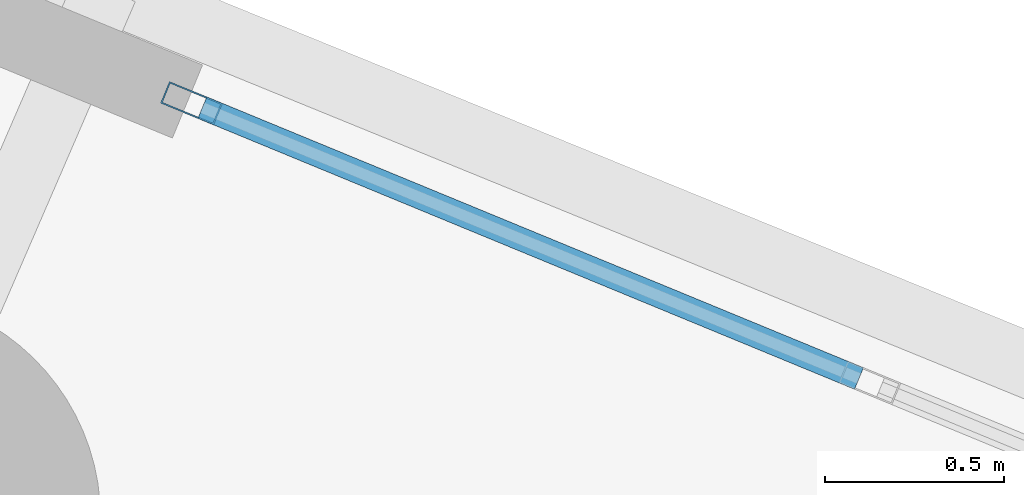
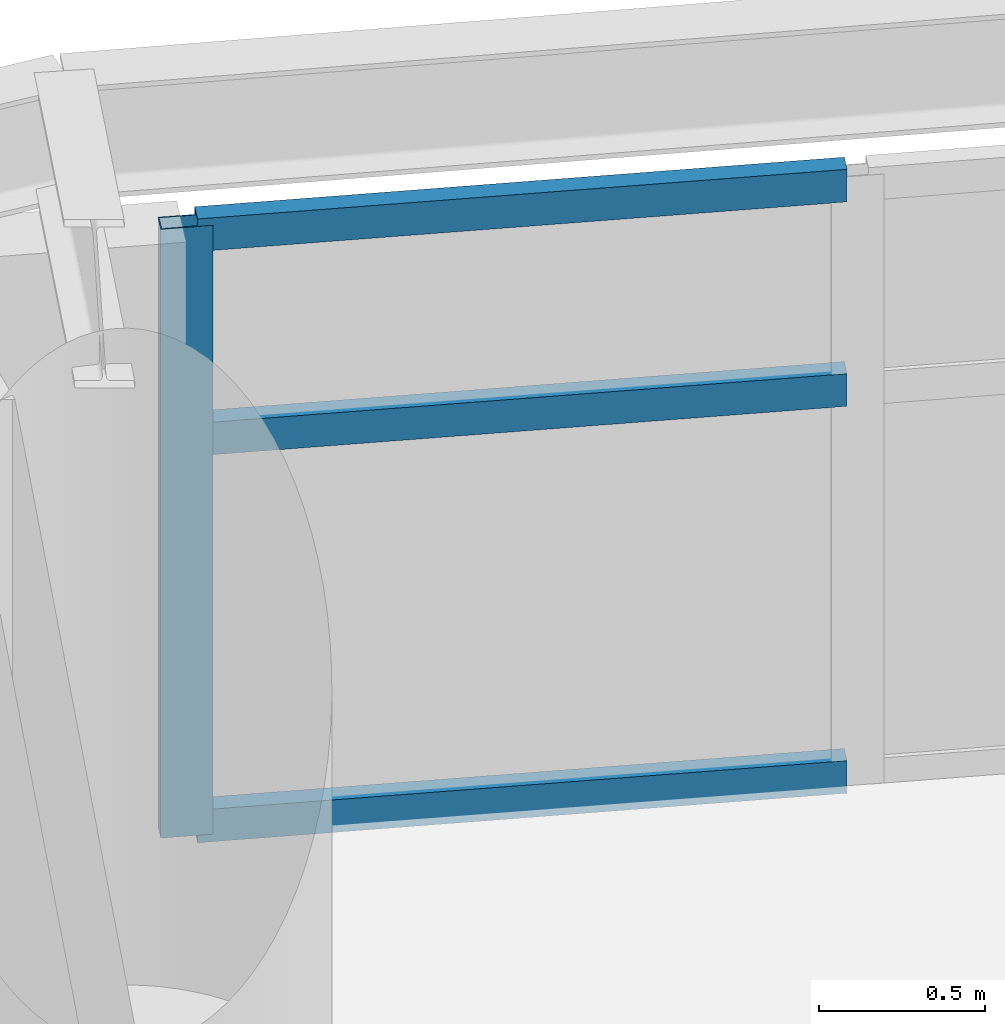
# One storey, part 7 of 18: 4 members, 1 element without a shape of its own.
"""IFC4 building model written with IfcOpenShell, lengths in metres."""

from ifc_helpers import new_model, si_unit, direction, frame, origin, origin_2d, place, context, subcontext, project, spatial, hollow_rectangle, extrude, material, layer, layer_set, material_profile, profile_set, type_object, element, aggregate, save


model = new_model("IFC4")

# Units and contexts
model_context = context("Model", 3, precision=1e-05, world=origin(), true_north=direction((0.0, 1.0)))
body_context = subcontext(model_context, "Body", "Model", "MODEL_VIEW")
ifc_project = project(units=[si_unit("LENGTHUNIT", "METRE"), si_unit("AREAUNIT", "SQUARE_METRE"), si_unit("VOLUMEUNIT", "CUBIC_METRE"), si_unit("PLANEANGLEUNIT", "RADIAN"), si_unit("MASSUNIT", "GRAM", prefix="KILO")], contexts=[model_context])

# Site, building, storey
site_placement = place(None, origin())
site = spatial("IfcSite", under=ifc_project, at=site_placement, CompositionType="ELEMENT")
building_placement = place(site_placement, origin())
building = spatial("IfcBuilding", under=site, at=building_placement, Name="Cununo Teusaquillo Station Towers", CompositionType="ELEMENT")
storey_placement = place(building_placement, frame((0.0, 0.0, 169.06005859375)))
storey = spatial("IfcBuildingStorey", under=building, at=storey_placement, Name="L53", CompositionType="ELEMENT", Elevation=169.06005859375)

# Curtain wall, members
ifc_material_1 = material(Name="Operable acoustic tinted low-E double glazing", Category="glass")
ifc_layer = layer(ifc_material_1, 0.179931640625)
ifc_layer_set = layer_set([ifc_layer], Name="Operable acoustic tinted low-E double glazing")
curtain_wall_type = type_object("IfcCurtainWallType", Name="CW-SYS-06", PredefinedType="USERDEFINED", material=ifc_layer_set)
curtain_wall_placement = place(storey_placement, origin())
curtain_wall = element("IfcCurtainWall", 1, at=curtain_wall_placement, inside=storey, type_object=curtain_wall_type, Name="L53 Tower B Facade Curtain Wall C01", ObjectType="OPERABLE GLAZING", PredefinedType="USERDEFINED")
ifc_material_2 = material(Name="Anodised dark bronze aluminium EN AW-6063-T6", Category="aluminium")
ifc_material_profile_1 = material_profile(ifc_material_2, hollow_rectangle(XDim=0.06494140625, YDim=0.159912109375, WallThickness=0.00390625, at=origin_2d()), Name="CW-MULL-65x160")
ifc_profile_set_1 = profile_set([ifc_material_profile_1], Name="Anodised dark bronze aluminium EN AW-6063-T6")
member_type_1 = type_object("IfcMemberType", Name="CWM-160", PredefinedType="MULLION", material=ifc_profile_set_1)
member_1_placement = place(storey_placement, frame((59.16943359375, 38.791015625, 0.0), z_axis=(0.0, 0.0, 1.0), x_axis=(0.381229322376, 0.924480504803, 0.0)))
member_1 = element("IfcMember", 2, at=member_1_placement, type_object=member_type_1, Name="CW-06 mullion 1", PredefinedType="MULLION", context=body_context, shape_type="SweptSolid", body=[
    extrude(hollow_rectangle(XDim=0.06494140625, YDim=0.159912109375, WallThickness=0.00390625, at=origin_2d()), origin(), (0.0, 0.0, 1.0), 2.244873046875),
])
ifc_material_3 = material(Name="Anodised dark bronze aluminium EN AW-6063-T6", Category="aluminium")
ifc_material_profile_2 = material_profile(ifc_material_3, hollow_rectangle(XDim=0.06494140625, YDim=0.1201171875, WallThickness=0.00390625, at=origin_2d()), Name="CW-TRAN-65x120")
ifc_profile_set_2 = profile_set([ifc_material_profile_2], Name="Anodised dark bronze aluminium EN AW-6063-T6")
member_type_2 = type_object("IfcMemberType", Name="CWT-120", PredefinedType="USERDEFINED", material=ifc_profile_set_2)
member_2_placement = place(storey_placement, frame((59.199462890625, 38.77880859375, 0.032470703125), z_axis=(0.924450559311, -0.381301932056, 0.0), x_axis=(0.381301932056, 0.924450559311, 0.0)))
member_2 = element("IfcMember", 3, at=member_2_placement, type_object=member_type_2, Name="CW-06 transom 1.1", ObjectType="TRANSOM", PredefinedType="USERDEFINED", context=body_context, shape_type="SweptSolid", body=[
    extrude(hollow_rectangle(XDim=0.06494140625, YDim=0.1201171875, WallThickness=0.00390625, at=origin_2d()), origin(), (0.0, 0.0, 1.0), 1.97900390625),
])
member_3_placement = place(storey_placement, frame((59.199462890625, 38.77880859375, 1.458984375), z_axis=(0.924450559311, -0.381301932056, 0.0), x_axis=(0.381301932056, 0.924450559311, 0.0)))
member_3 = element("IfcMember", 4, at=member_3_placement, type_object=member_type_2, Name="CW-06 transom 1.2", ObjectType="TRANSOM", PredefinedType="USERDEFINED", context=body_context, shape_type="SweptSolid", body=[
    extrude(hollow_rectangle(XDim=0.06494140625, YDim=0.1201171875, WallThickness=0.00390625, at=origin_2d()), origin(), (0.0, 0.0, 1.0), 1.97900390625),
])
member_4_placement = place(storey_placement, frame((59.199462890625, 38.77880859375, 2.21240234375), z_axis=(0.924450559311, -0.381301932056, 0.0), x_axis=(0.381301932056, 0.924450559311, 0.0)))
member_4 = element("IfcMember", 5, at=member_4_placement, type_object=member_type_2, Name="CW-06 transom 1.3", ObjectType="TRANSOM", PredefinedType="USERDEFINED", context=body_context, shape_type="SweptSolid", body=[
    extrude(hollow_rectangle(XDim=0.06494140625, YDim=0.1201171875, WallThickness=0.00390625, at=origin_2d()), origin(), (0.0, 0.0, 1.0), 1.97900390625),
])
aggregate(curtain_wall, [member_1, member_2, member_3, member_4])

save(model, "model.ifc")
